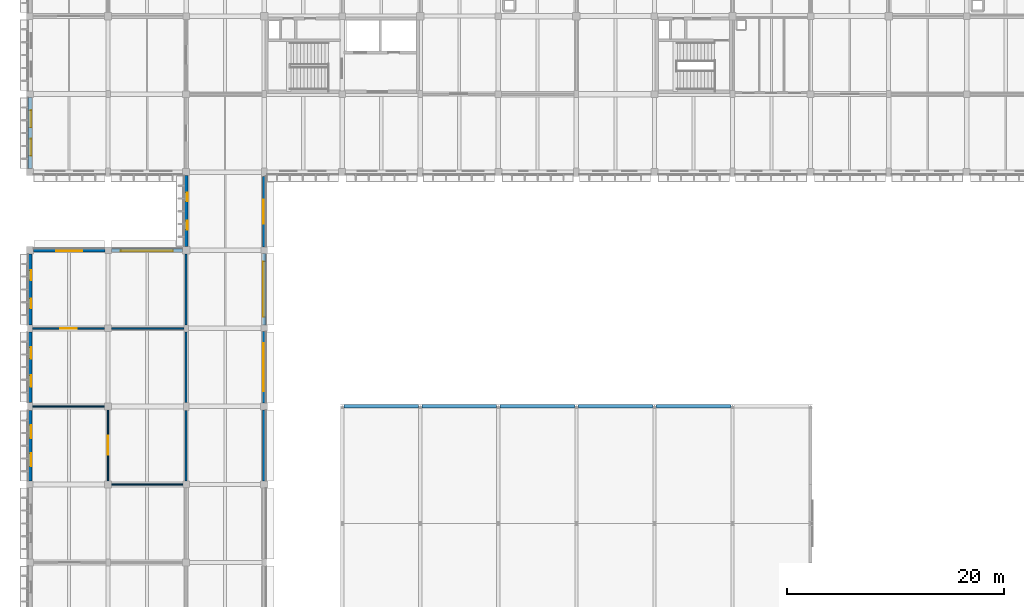
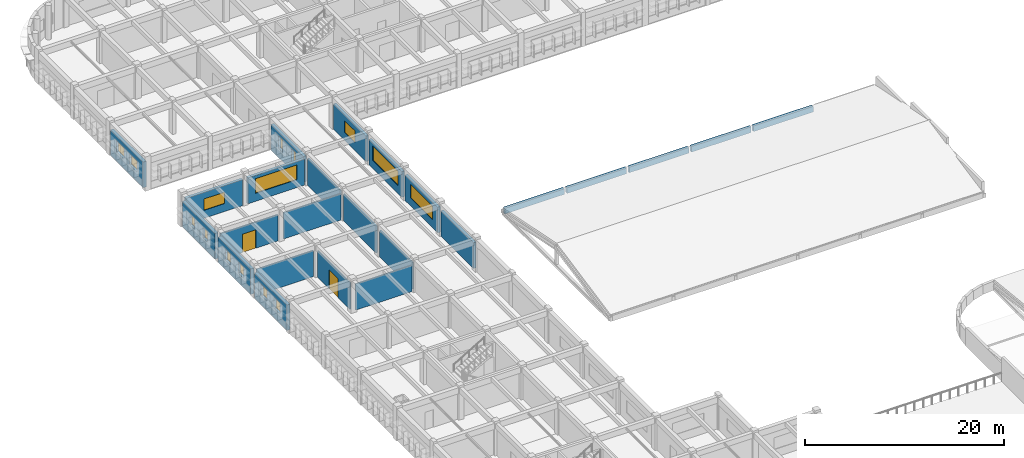
# One storey, part 85 of 103: 24 walls, 15 windows, 2 doors, 17 openings.
"""IFC4 building model written with IfcOpenShell, lengths in metres."""

from ifc_helpers import new_model, si_unit, direction, frame, frame_2d, origin, place, context, subcontext, project, spatial, rectangle, extrude, material, layer, layer_set, type_object, element, fill, save


model = new_model("IFC4")

# Units and contexts
model_context = context("Model", 3, precision=1e-05, world=origin(), true_north=direction((0.0, 1.0)))
body_context = subcontext(model_context, "Body", "Model", "MODEL_VIEW")
ifc_project = project(units=[si_unit("LENGTHUNIT", "METRE"), si_unit("AREAUNIT", "SQUARE_METRE"), si_unit("VOLUMEUNIT", "CUBIC_METRE"), si_unit("PLANEANGLEUNIT", "RADIAN"), si_unit("MASSUNIT", "GRAM", prefix="KILO")], contexts=[model_context])

# Site, building, storey
site_placement = place(None, origin())
site = spatial("IfcSite", under=ifc_project, at=site_placement, CompositionType="ELEMENT")
building_placement = place(site_placement, origin())
building = spatial("IfcBuilding", under=site, at=building_placement, Name="Thalmaran Polytechnic", CompositionType="ELEMENT")
storey_placement = place(building_placement, frame((0.0, 0.0, 14.39990234375)))
storey = spatial("IfcBuildingStorey", under=building, at=storey_placement, Name="L03", CompositionType="ELEMENT", Elevation=14.39990234375)

# Wall, openings, windows
ifc_material_1 = material(Name="Precast concrete C40/50", Category="concrete")
ifc_layer_1 = layer(ifc_material_1, 0.360107421875, Name="Precast concrete C40/50")
ifc_layer_set_1 = layer_set([ifc_layer_1], Name="Precast concrete C40/50")
wall_type_1 = type_object("IfcWallType", Name="WL-EW01", PredefinedType="STANDARD", material=ifc_layer_set_1)
wall_1_placement = place(storey_placement, frame((0.0, 65.10009765625, 0.0), z_axis=(0.0, 0.0, 1.0), x_axis=(0.0, 1.0, 0.0)))
wall_1 = element("IfcWall", 1, at=wall_1_placement, inside=storey, type_object=wall_type_1, Name="Exterior Precast Facade Wall L03-038", PredefinedType="STANDARD", context=body_context, shape_type="SweptSolid", body=[
    extrude(rectangle(XDim=6.52490234375, YDim=0.360107421875, at=frame_2d((3.262451171875, 0.0))), origin(), (0.0, 0.0, 1.0), 3.135009765625),
])
opening_1_placement = place(wall_1_placement, frame((1.357421875, 0.0, 1.14990234375)))
opening_1 = element("IfcOpeningElement", 2, at=opening_1_placement, cuts=wall_1, Name="Opening PW11", PredefinedType="OPENING", context=body_context, shape_type="SweptSolid", body=[
    extrude(rectangle(XDim=1.199951171875, YDim=1.35009765625, at=frame_2d((0.60009765625, 0.675048828125))), frame((0.0, 0.18994140625, 0.0), z_axis=(0.0, -1.0, 0.0), x_axis=(1.0, 0.0, 0.0)), (0.0, 0.0, 1.0), 0.380126953125),
])
opening_2_placement = place(wall_1_placement, frame((3.967529296875, 0.0, 1.14990234375)))
opening_2 = element("IfcOpeningElement", 3, at=opening_2_placement, cuts=wall_1, Name="Opening PW11", PredefinedType="OPENING", context=body_context, shape_type="SweptSolid", body=[
    extrude(rectangle(XDim=1.199951171875, YDim=1.35009765625, at=frame_2d((0.60009765625, 0.675048828125))), frame((0.0, 0.18994140625, 0.0), z_axis=(0.0, -1.0, 0.0), x_axis=(1.0, 0.0, 0.0)), (0.0, 0.0, 1.0), 0.380126953125),
])
ifc_material_2 = material(Name="Thermally broken aluminium and double low-E glass", Category="aluminium")
window_type_1 = type_object("IfcWindowType", Name="WN-PW01", PartitioningType="SINGLE_PANEL", PredefinedType="WINDOW", material=ifc_material_2)
window_1_placement = place(opening_1_placement, origin())
window_1 = element("IfcWindow", 4, at=window_1_placement, inside=storey, type_object=window_type_1, Name="Deep-Set Solar-Screened Window W-0436", OverallHeight=1.35009765625, OverallWidth=1.199951171875, PartitioningType="SINGLE_PANEL", PredefinedType="WINDOW", context=body_context, shape_type="SweptSolid", body=[
    extrude(rectangle(XDim=1.199951171875, YDim=1.35009765625, at=frame_2d((0.60009765625, 0.675048828125))), frame((0.0, -0.080078125, 0.0), z_axis=(0.0, -1.0, 0.0), x_axis=(1.0, 0.0, 0.0)), (0.0, 0.0, 1.0), 0.06005859375),
])
fill(opening_1, window_1)
window_2_placement = place(opening_2_placement, origin())
window_2 = element("IfcWindow", 5, at=window_2_placement, inside=storey, type_object=window_type_1, Name="Deep-Set Solar-Screened Window W-0437", OverallHeight=1.35009765625, OverallWidth=1.199951171875, PartitioningType="SINGLE_PANEL", PredefinedType="WINDOW", context=body_context, shape_type="SweptSolid", body=[
    extrude(rectangle(XDim=1.199951171875, YDim=1.35009765625, at=frame_2d((0.60009765625, 0.675048828125))), frame((0.0, -0.080078125, 0.0), z_axis=(0.0, -1.0, 0.0), x_axis=(1.0, 0.0, 0.0)), (0.0, 0.0, 1.0), 0.06005859375),
])
fill(opening_2, window_2)

wall_2_placement = place(storey_placement, frame((0.0, 72.375, 0.0), z_axis=(0.0, 0.0, 1.0), x_axis=(0.0, 1.0, 0.0)))
wall_2 = element("IfcWall", 6, at=wall_2_placement, inside=storey, type_object=wall_type_1, Name="Exterior Precast Facade Wall L03-039", PredefinedType="STANDARD", context=body_context, shape_type="SweptSolid", body=[
    extrude(rectangle(XDim=6.5048828125, YDim=0.360107421875, at=frame_2d((3.25244140625, 0.0))), origin(), (0.0, 0.0, 1.0), 3.135009765625),
])
opening_3_placement = place(wall_2_placement, frame((1.426513671875, 0.0, 1.14990234375)))
opening_3 = element("IfcOpeningElement", 7, at=opening_3_placement, cuts=wall_2, Name="Opening PW12", PredefinedType="OPENING", context=body_context, shape_type="SweptSolid", body=[
    extrude(rectangle(XDim=1.050048828125, YDim=1.35009765625, at=frame_2d((0.52490234375, 0.675048828125))), frame((0.0, 0.18994140625, 0.0), z_axis=(0.0, -1.0, 0.0), x_axis=(1.0, 0.0, 0.0)), (0.0, 0.0, 1.0), 0.380126953125),
])
opening_4_placement = place(wall_2_placement, frame((4.028564453125, 0.0, 1.14990234375)))
opening_4 = element("IfcOpeningElement", 8, at=opening_4_placement, cuts=wall_2, Name="Opening PW12", PredefinedType="OPENING", context=body_context, shape_type="SweptSolid", body=[
    extrude(rectangle(XDim=1.050048828125, YDim=1.35009765625, at=frame_2d((0.52490234375, 0.675048828125))), frame((0.0, 0.18994140625, 0.0), z_axis=(0.0, -1.0, 0.0), x_axis=(1.0, 0.0, 0.0)), (0.0, 0.0, 1.0), 0.380126953125),
])
window_type_2 = type_object("IfcWindowType", Name="WN-PW02", PartitioningType="SINGLE_PANEL", PredefinedType="WINDOW", material=ifc_material_2)
window_3_placement = place(opening_3_placement, origin())
window_3 = element("IfcWindow", 9, at=window_3_placement, inside=storey, type_object=window_type_2, Name="Deep-Set Solar-Screened Window W-0438", OverallHeight=1.35009765625, OverallWidth=1.050048828125, PartitioningType="SINGLE_PANEL", PredefinedType="WINDOW", context=body_context, shape_type="SweptSolid", body=[
    extrude(rectangle(XDim=1.050048828125, YDim=1.35009765625, at=frame_2d((0.52490234375, 0.675048828125))), frame((0.0, -0.080078125, 0.0), z_axis=(0.0, -1.0, 0.0), x_axis=(1.0, 0.0, 0.0)), (0.0, 0.0, 1.0), 0.06005859375),
])
fill(opening_3, window_3)
window_4_placement = place(opening_4_placement, origin())
window_4 = element("IfcWindow", 10, at=window_4_placement, inside=storey, type_object=window_type_2, Name="Deep-Set Solar-Screened Window W-0439", OverallHeight=1.35009765625, OverallWidth=1.050048828125, PartitioningType="SINGLE_PANEL", PredefinedType="WINDOW", context=body_context, shape_type="SweptSolid", body=[
    extrude(rectangle(XDim=1.050048828125, YDim=1.35009765625, at=frame_2d((0.52490234375, 0.675048828125))), frame((0.0, -0.080078125, 0.0), z_axis=(0.0, -1.0, 0.0), x_axis=(1.0, 0.0, 0.0)), (0.0, 0.0, 1.0), 0.06005859375),
])
fill(opening_4, window_4)

wall_3_placement = place(storey_placement, frame((0.0, 79.52001953125, 0.0), z_axis=(0.0, 0.0, 1.0), x_axis=(0.0, 1.0, 0.0)))
wall_3 = element("IfcWall", 11, at=wall_3_placement, inside=storey, type_object=wall_type_1, Name="Exterior Precast Facade Wall L03-040", PredefinedType="STANDARD", context=body_context, shape_type="SweptSolid", body=[
    extrude(rectangle(XDim=6.5400390625, YDim=0.360107421875, at=frame_2d((3.27001953125, 0.0))), origin(), (0.0, 0.0, 1.0), 3.135009765625),
])
opening_5_placement = place(wall_3_placement, frame((1.511962890625, 0.0, 1.14990234375)))
opening_5 = element("IfcOpeningElement", 12, at=opening_5_placement, cuts=wall_3, Name="Opening PW13", PredefinedType="OPENING", context=body_context, shape_type="SweptSolid", body=[
    extrude(rectangle(XDim=0.89990234375, YDim=1.300048828125, at=frame_2d((0.449951171875, 0.64990234375))), frame((0.0, 0.18994140625, 0.0), z_axis=(0.0, -1.0, 0.0), x_axis=(1.0, 0.0, 0.0)), (0.0, 0.0, 1.0), 0.380126953125),
])
opening_6_placement = place(wall_3_placement, frame((4.1279296875, 0.0, 1.14990234375)))
opening_6 = element("IfcOpeningElement", 13, at=opening_6_placement, cuts=wall_3, Name="Opening PW13", PredefinedType="OPENING", context=body_context, shape_type="SweptSolid", body=[
    extrude(rectangle(XDim=0.89990234375, YDim=1.300048828125, at=frame_2d((0.449951171875, 0.64990234375))), frame((0.0, 0.18994140625, 0.0), z_axis=(0.0, -1.0, 0.0), x_axis=(1.0, 0.0, 0.0)), (0.0, 0.0, 1.0), 0.380126953125),
])
window_type_3 = type_object("IfcWindowType", Name="WN-PW03", PartitioningType="SINGLE_PANEL", PredefinedType="WINDOW", material=ifc_material_2)
window_5_placement = place(opening_5_placement, origin())
window_5 = element("IfcWindow", 14, at=window_5_placement, inside=storey, type_object=window_type_3, Name="Deep-Set Solar-Screened Window W-0440", OverallHeight=1.300048828125, OverallWidth=0.89990234375, PartitioningType="SINGLE_PANEL", PredefinedType="WINDOW", context=body_context, shape_type="SweptSolid", body=[
    extrude(rectangle(XDim=0.89990234375, YDim=1.300048828125, at=frame_2d((0.449951171875, 0.64990234375))), frame((0.0, -0.080078125, 0.0), z_axis=(0.0, -1.0, 0.0), x_axis=(1.0, 0.0, 0.0)), (0.0, 0.0, 1.0), 0.06005859375),
])
fill(opening_5, window_5)
window_6_placement = place(opening_6_placement, origin())
window_6 = element("IfcWindow", 15, at=window_6_placement, inside=storey, type_object=window_type_3, Name="Deep-Set Solar-Screened Window W-0441", OverallHeight=1.300048828125, OverallWidth=0.89990234375, PartitioningType="SINGLE_PANEL", PredefinedType="WINDOW", context=body_context, shape_type="SweptSolid", body=[
    extrude(rectangle(XDim=0.89990234375, YDim=1.300048828125, at=frame_2d((0.449951171875, 0.64990234375))), frame((0.0, -0.080078125, 0.0), z_axis=(0.0, -1.0, 0.0), x_axis=(1.0, 0.0, 0.0)), (0.0, 0.0, 1.0), 0.06005859375),
])
fill(opening_6, window_6)

wall_4_placement = place(storey_placement, frame((14.39990234375, 86.739990234375, 0.0), z_axis=(0.0, 0.0, 1.0), x_axis=(0.0, 1.0, 0.0)))
wall_4 = element("IfcWall", 16, at=wall_4_placement, inside=storey, type_object=wall_type_1, Name="Exterior Precast Facade Wall L03-043", PredefinedType="STANDARD", context=body_context, shape_type="SweptSolid", body=[
    extrude(rectangle(XDim=6.534912109375, YDim=0.360107421875, at=frame_2d((3.267578125, 0.0))), origin(), (0.0, 0.0, 1.0), 3.135009765625),
])
opening_7_placement = place(wall_4_placement, frame((1.560546875, 0.0, 1.14990234375)))
opening_7 = element("IfcOpeningElement", 17, at=opening_7_placement, cuts=wall_4, Name="Opening PW16", PredefinedType="OPENING", context=body_context, shape_type="SweptSolid", body=[
    extrude(rectangle(XDim=0.800048828125, YDim=1.5, at=frame_2d((0.39990234375, 0.75))), frame((0.0, 0.18994140625, 0.0), z_axis=(0.0, -1.0, 0.0), x_axis=(1.0, 0.0, 0.0)), (0.0, 0.0, 1.0), 0.380126953125),
])
opening_8_placement = place(wall_4_placement, frame((4.174560546875, 0.0, 1.14990234375)))
opening_8 = element("IfcOpeningElement", 18, at=opening_8_placement, cuts=wall_4, Name="Opening PW16", PredefinedType="OPENING", context=body_context, shape_type="SweptSolid", body=[
    extrude(rectangle(XDim=0.800048828125, YDim=1.5, at=frame_2d((0.39990234375, 0.75))), frame((0.0, 0.18994140625, 0.0), z_axis=(0.0, -1.0, 0.0), x_axis=(1.0, 0.0, 0.0)), (0.0, 0.0, 1.0), 0.380126953125),
])
window_type_4 = type_object("IfcWindowType", Name="WN-PW06", PartitioningType="SINGLE_PANEL", PredefinedType="WINDOW", material=ifc_material_2)
window_7_placement = place(opening_7_placement, origin())
window_7 = element("IfcWindow", 19, at=window_7_placement, inside=storey, type_object=window_type_4, Name="Deep-Set Solar-Screened Window W-0444", OverallHeight=1.5, OverallWidth=0.800048828125, PartitioningType="SINGLE_PANEL", PredefinedType="WINDOW", context=body_context, shape_type="SweptSolid", body=[
    extrude(rectangle(XDim=0.800048828125, YDim=1.5, at=frame_2d((0.39990234375, 0.75))), frame((0.0, -0.080078125, 0.0), z_axis=(0.0, -1.0, 0.0), x_axis=(1.0, 0.0, 0.0)), (0.0, 0.0, 1.0), 0.06005859375),
])
fill(opening_7, window_7)
window_8_placement = place(opening_8_placement, origin())
window_8 = element("IfcWindow", 20, at=window_8_placement, inside=storey, type_object=window_type_4, Name="Deep-Set Solar-Screened Window W-0445", OverallHeight=1.5, OverallWidth=0.800048828125, PartitioningType="SINGLE_PANEL", PredefinedType="WINDOW", context=body_context, shape_type="SweptSolid", body=[
    extrude(rectangle(XDim=0.800048828125, YDim=1.5, at=frame_2d((0.39990234375, 0.75))), frame((0.0, -0.080078125, 0.0), z_axis=(0.0, -1.0, 0.0), x_axis=(1.0, 0.0, 0.0)), (0.0, 0.0, 1.0), 0.06005859375),
])
fill(opening_8, window_8)

wall_5_placement = place(storey_placement, frame((0.0, 93.925048828125, 0.0), z_axis=(0.0, 0.0, 1.0), x_axis=(0.0, 1.0, 0.0)))
wall_5 = element("IfcWall", 21, at=wall_5_placement, inside=storey, type_object=wall_type_1, Name="Exterior Precast Facade Wall L03-046", PredefinedType="STANDARD", context=body_context, shape_type="SweptSolid", body=[
    extrude(rectangle(XDim=6.56494140625, YDim=0.360107421875, at=frame_2d((3.282470703125, 0.0))), origin(), (0.0, 0.0, 1.0), 3.135009765625),
])
opening_9_placement = place(wall_5_placement, frame((1.194580078125, 0.0, 1.14990234375)))
opening_9 = element("IfcOpeningElement", 22, at=opening_9_placement, cuts=wall_5, Name="Opening VW09", PredefinedType="OPENING", context=body_context, shape_type="SweptSolid", body=[
    extrude(rectangle(XDim=1.550048828125, YDim=1.35009765625, at=frame_2d((0.77490234375, 0.675048828125))), frame((0.0, 0.18994140625, 0.0), z_axis=(0.0, -1.0, 0.0), x_axis=(1.0, 0.0, 0.0)), (0.0, 0.0, 1.0), 0.380126953125),
])
opening_10_placement = place(wall_5_placement, frame((3.820556640625, 0.0, 1.14990234375)))
opening_10 = element("IfcOpeningElement", 23, at=opening_10_placement, cuts=wall_5, Name="Opening VW09", PredefinedType="OPENING", context=body_context, shape_type="SweptSolid", body=[
    extrude(rectangle(XDim=1.550048828125, YDim=1.35009765625, at=frame_2d((0.77490234375, 0.675048828125))), frame((0.0, 0.18994140625, 0.0), z_axis=(0.0, -1.0, 0.0), x_axis=(1.0, 0.0, 0.0)), (0.0, 0.0, 1.0), 0.380126953125),
])
window_type_5 = type_object("IfcWindowType", Name="WN-VZ09", PartitioningType="SINGLE_PANEL", PredefinedType="WINDOW", material=ifc_material_2)
window_9_placement = place(opening_9_placement, origin())
window_9 = element("IfcWindow", 24, at=window_9_placement, inside=storey, type_object=window_type_5, Name="Deep-Set Solar-Screened Window W-0450", OverallHeight=1.35009765625, OverallWidth=1.550048828125, PartitioningType="SINGLE_PANEL", PredefinedType="WINDOW", context=body_context, shape_type="SweptSolid", body=[
    extrude(rectangle(XDim=1.550048828125, YDim=1.35009765625, at=frame_2d((0.77490234375, 0.675048828125))), frame((0.0, -0.080078125, 0.0), z_axis=(0.0, -1.0, 0.0), x_axis=(1.0, 0.0, 0.0)), (0.0, 0.0, 1.0), 0.06005859375),
])
fill(opening_9, window_9)
window_10_placement = place(opening_10_placement, origin())
window_10 = element("IfcWindow", 25, at=window_10_placement, inside=storey, type_object=window_type_5, Name="Deep-Set Solar-Screened Window W-0451", OverallHeight=1.35009765625, OverallWidth=1.550048828125, PartitioningType="SINGLE_PANEL", PredefinedType="WINDOW", context=body_context, shape_type="SweptSolid", body=[
    extrude(rectangle(XDim=1.550048828125, YDim=1.35009765625, at=frame_2d((0.77490234375, 0.675048828125))), frame((0.0, -0.080078125, 0.0), z_axis=(0.0, -1.0, 0.0), x_axis=(1.0, 0.0, 0.0)), (0.0, 0.0, 1.0), 0.06005859375),
])
fill(opening_10, window_10)

# Walls
ifc_layer_2 = layer(ifc_material_1, 0.31005859375, Name="Precast concrete C40/50")
ifc_layer_set_2 = layer_set([ifc_layer_2], Name="Precast concrete C40/50")
wall_type_2 = type_object("IfcWallType", Name="WL-EW03", PredefinedType="STANDARD", material=ifc_layer_set_2)
for number, where, z_axis, x_axis, name in (
    (26, (35.85009765625, 72.0, -0.02001953125), (0.0, 0.0, 1.0), (-1.0, 0.0, 0.0), "Refectory Roof Eave Spandrel N-04"),
    (27, (43.050048828125, 72.0, -0.02001953125), (0.0, 0.0, 1.0), (-1.0, 0.0, 0.0), "Refectory Roof Eave Spandrel N-05"),
):
    element("IfcWall", number, at=place(storey_placement, frame(where, z_axis=z_axis, x_axis=x_axis)), inside=storey, type_object=wall_type_2, Name=name, PredefinedType="STANDARD", context=body_context, shape_type="SweptSolid", body=[
        extrude(rectangle(XDim=6.900146484375, YDim=0.31005859375, at=frame_2d((3.4501953125, 0.0))), origin(), (0.0, 0.0, 1.0), 0.690185546875),
    ])
for number, where, z_axis, x_axis, name in (
    (28, (50.25, 72.0, -0.02001953125), (0.0, 0.0, 1.0), (-1.0, 0.0, 0.0), "Refectory Roof Eave Spandrel N-06"),
    (29, (57.449951171875, 72.0, -0.02001953125), (0.0, 0.0, 1.0), (-1.0, 0.0, 0.0), "Refectory Roof Eave Spandrel N-07"),
    (30, (64.64990234375, 72.0, -0.02001953125), (0.0, 0.0, 1.0), (-1.0, 0.0, 0.0), "Refectory Roof Eave Spandrel N-08"),
):
    element("IfcWall", number, at=place(storey_placement, frame(where, z_axis=z_axis, x_axis=x_axis)), inside=storey, type_object=wall_type_2, Name=name, PredefinedType="STANDARD", context=body_context, shape_type="SweptSolid", body=[
        extrude(rectangle(XDim=6.89990234375, YDim=0.31005859375, at=frame_2d((3.449951171875, 0.0))), origin(), (0.0, 0.0, 1.0), 0.690185546875),
    ])

# Wall, opening, window
wall_6_placement = place(storey_placement, frame((0.340087890625, 86.39990234375, 0.0), z_axis=(0.0, 0.0, 1.0), x_axis=(1.0, 0.0, 0.0)))
wall_6 = element("IfcWall", 31, at=wall_6_placement, inside=storey, type_object=wall_type_2, Name="Exterior Precast Facade Wall L03-041", PredefinedType="STANDARD", context=body_context, shape_type="SweptSolid", body=[
    extrude(rectangle(XDim=6.559814453125, YDim=0.31005859375, at=frame_2d((3.27978515625, 0.0))), origin(), (0.0, 0.0, 1.0), 3.18505859375),
])
opening_11_placement = place(wall_6_placement, frame((2.080078125, 0.0, 0.97998046875)))
opening_11 = element("IfcOpeningElement", 32, at=opening_11_placement, cuts=wall_6, Name="Opening RW06", PredefinedType="OPENING", context=body_context, shape_type="SweptSolid", body=[
    extrude(rectangle(XDim=2.39990234375, YDim=1.39990234375, at=frame_2d((1.199951171875, 0.699951171875))), frame((0.0, 0.1650390625, 0.0), z_axis=(0.0, -1.0, 0.0), x_axis=(1.0, 0.0, 0.0)), (0.0, 0.0, 1.0), 0.330078125),
])
window_type_6 = type_object("IfcWindowType", Name="WN-RW06", PartitioningType="DOUBLE_PANEL_VERTICAL", PredefinedType="WINDOW", material=ifc_material_2)
window_11_placement = place(opening_11_placement, origin())
window_11 = element("IfcWindow", 33, at=window_11_placement, inside=storey, type_object=window_type_6, Name="Streamline Ribbon Window W-0442", OverallHeight=1.39990234375, OverallWidth=2.39990234375, PartitioningType="SINGLE_PANEL", PredefinedType="WINDOW", context=body_context, shape_type="SweptSolid", body=[
    extrude(rectangle(XDim=2.39990234375, YDim=1.39990234375, at=frame_2d((1.199951171875, 0.699951171875))), frame((0.0, -0.030029296875, 0.0), z_axis=(0.0, -1.0, 0.0), x_axis=(1.0, 0.0, 0.0)), (0.0, 0.0, 1.0), 0.06005859375),
])
fill(opening_11, window_11)

wall_7_placement = place(storey_placement, frame((7.5, 86.39990234375, 0.0), z_axis=(0.0, 0.0, 1.0), x_axis=(1.0, 0.0, 0.0)))
wall_7 = element("IfcWall", 34, at=wall_7_placement, inside=storey, type_object=wall_type_2, Name="Exterior Precast Facade Wall L03-042", PredefinedType="STANDARD", context=body_context, shape_type="SweptSolid", body=[
    extrude(rectangle(XDim=6.56005859375, YDim=0.31005859375, at=frame_2d((3.280029296875, 0.0))), origin(), (0.0, 0.0, 1.0), 3.18505859375),
])
opening_12_placement = place(wall_7_placement, frame((0.8798828125, 0.0, 0.97998046875)))
opening_12 = element("IfcOpeningElement", 35, at=opening_12_placement, cuts=wall_7, Name="Opening RW07", PredefinedType="OPENING", context=body_context, shape_type="SweptSolid", body=[
    extrude(rectangle(XDim=4.800048828125, YDim=1.800048828125, at=frame_2d((2.39990234375, 0.89990234375))), frame((0.0, 0.1650390625, 0.0), z_axis=(0.0, -1.0, 0.0), x_axis=(1.0, 0.0, 0.0)), (0.0, 0.0, 1.0), 0.330078125),
])
window_type_7 = type_object("IfcWindowType", Name="WN-RW07", PartitioningType="TRIPLE_PANEL_HORIZONTAL", PredefinedType="WINDOW", material=ifc_material_2)
window_12_placement = place(opening_12_placement, origin())
window_12 = element("IfcWindow", 36, at=window_12_placement, inside=storey, type_object=window_type_7, Name="Streamline Ribbon Window W-0443", OverallHeight=1.800048828125, OverallWidth=4.800048828125, PartitioningType="SINGLE_PANEL", PredefinedType="WINDOW", context=body_context, shape_type="SweptSolid", body=[
    extrude(rectangle(XDim=4.800048828125, YDim=1.800048828125, at=frame_2d((2.39990234375, 0.89990234375))), frame((0.0, -0.030029296875, 0.0), z_axis=(0.0, -1.0, 0.0), x_axis=(1.0, 0.0, 0.0)), (0.0, 0.0, 1.0), 0.06005859375),
])
fill(opening_12, window_12)

wall_8_placement = place(storey_placement, frame((21.60009765625, 93.22509765625, 0.0), z_axis=(0.0, 0.0, 1.0), x_axis=(0.0, -1.0, 0.0)))
wall_8 = element("IfcWall", 37, at=wall_8_placement, inside=storey, type_object=wall_type_2, Name="Exterior Precast Facade Wall L03-089", PredefinedType="STANDARD", context=body_context, shape_type="SweptSolid", body=[
    extrude(rectangle(XDim=6.525146484375, YDim=0.31005859375, at=frame_2d((3.2626953125, 0.0))), origin(), (0.0, 0.0, 1.0), 3.135009765625),
])
opening_13_placement = place(wall_8_placement, frame((2.16259765625, 0.0, 0.97998046875)))
opening_13 = element("IfcOpeningElement", 38, at=opening_13_placement, cuts=wall_8, Name="Opening VW06", PredefinedType="OPENING", context=body_context, shape_type="SweptSolid", body=[
    extrude(rectangle(XDim=2.199951171875, YDim=1.449951171875, at=frame_2d((1.10009765625, 0.72509765625))), frame((0.0, 0.1650390625, 0.0), z_axis=(0.0, -1.0, 0.0), x_axis=(1.0, 0.0, 0.0)), (0.0, 0.0, 1.0), 0.330078125),
])
window_type_8 = type_object("IfcWindowType", Name="WN-VZ06", PartitioningType="DOUBLE_PANEL_VERTICAL", PredefinedType="WINDOW", material=ifc_material_2)
window_13_placement = place(opening_13_placement, origin())
window_13 = element("IfcWindow", 39, at=window_13_placement, inside=storey, type_object=window_type_8, Name="Streamline Ribbon Window W-0507", OverallHeight=1.449951171875, OverallWidth=2.199951171875, PartitioningType="SINGLE_PANEL", PredefinedType="WINDOW", context=body_context, shape_type="SweptSolid", body=[
    extrude(rectangle(XDim=2.199951171875, YDim=1.449951171875, at=frame_2d((1.10009765625, 0.72509765625))), frame((0.0, -0.030029296875, 0.0), z_axis=(0.0, -1.0, 0.0), x_axis=(1.0, 0.0, 0.0)), (0.0, 0.0, 1.0), 0.06005859375),
])
fill(opening_13, window_13)

wall_9_placement = place(storey_placement, frame((21.60009765625, 86.10009765625, 0.0), z_axis=(0.0, 0.0, 1.0), x_axis=(0.0, -1.0, 0.0)))
wall_9 = element("IfcWall", 40, at=wall_9_placement, inside=storey, type_object=wall_type_2, Name="Exterior Precast Facade Wall L03-090", PredefinedType="STANDARD", context=body_context, shape_type="SweptSolid", body=[
    extrude(rectangle(XDim=6.590087890625, YDim=0.31005859375, at=frame_2d((3.294921875, 0.0))), origin(), (0.0, 0.0, 1.0), 3.135009765625),
])
opening_14_placement = place(wall_9_placement, frame((0.7451171875, 0.0, 0.97998046875)))
opening_14 = element("IfcOpeningElement", 41, at=opening_14_placement, cuts=wall_9, Name="Opening VW15", PredefinedType="OPENING", context=body_context, shape_type="SweptSolid", body=[
    extrude(rectangle(XDim=5.10009765625, YDim=1.75, at=frame_2d((2.550048828125, 0.875))), frame((0.0, 0.1650390625, 0.0), z_axis=(0.0, -1.0, 0.0), x_axis=(1.0, 0.0, 0.0)), (0.0, 0.0, 1.0), 0.330078125),
])
window_type_9 = type_object("IfcWindowType", Name="WN-VZ15", PartitioningType="TRIPLE_PANEL_HORIZONTAL", PredefinedType="WINDOW", material=ifc_material_2)
window_14_placement = place(opening_14_placement, origin())
window_14 = element("IfcWindow", 42, at=window_14_placement, inside=storey, type_object=window_type_9, Name="Streamline Ribbon Window W-0508", OverallHeight=1.75, OverallWidth=5.10009765625, PartitioningType="SINGLE_PANEL", PredefinedType="WINDOW", context=body_context, shape_type="SweptSolid", body=[
    extrude(rectangle(XDim=5.10009765625, YDim=1.75, at=frame_2d((2.550048828125, 0.875))), frame((0.0, -0.030029296875, 0.0), z_axis=(0.0, -1.0, 0.0), x_axis=(1.0, 0.0, 0.0)), (0.0, 0.0, 1.0), 0.06005859375),
])
fill(opening_14, window_14)

wall_10_placement = place(storey_placement, frame((21.60009765625, 78.889892578125, 0.0), z_axis=(0.0, 0.0, 1.0), x_axis=(0.0, -1.0, 0.0)))
wall_10 = element("IfcWall", 43, at=wall_10_placement, inside=storey, type_object=wall_type_2, Name="Exterior Precast Facade Wall L03-091", PredefinedType="STANDARD", context=body_context, shape_type="SweptSolid", body=[
    extrude(rectangle(XDim=6.56494140625, YDim=0.31005859375, at=frame_2d((3.282470703125, 0.0))), origin(), (0.0, 0.0, 1.0), 3.135009765625),
])
opening_15_placement = place(wall_10_placement, frame((1.08251953125, 0.0, 0.97998046875)))
opening_15 = element("IfcOpeningElement", 44, at=opening_15_placement, cuts=wall_10, Name="Opening VW16", PredefinedType="OPENING", context=body_context, shape_type="SweptSolid", body=[
    extrude(rectangle(XDim=4.39990234375, YDim=1.64990234375, at=frame_2d((2.199951171875, 0.824951171875))), frame((0.0, 0.1650390625, 0.0), z_axis=(0.0, -1.0, 0.0), x_axis=(1.0, 0.0, 0.0)), (0.0, 0.0, 1.0), 0.330078125),
])
window_type_10 = type_object("IfcWindowType", Name="WN-VZ16", PartitioningType="TRIPLE_PANEL_HORIZONTAL", PredefinedType="WINDOW", material=ifc_material_2)
window_15_placement = place(opening_15_placement, origin())
window_15 = element("IfcWindow", 45, at=window_15_placement, inside=storey, type_object=window_type_10, Name="Streamline Ribbon Window W-0509", OverallHeight=1.64990234375, OverallWidth=4.39990234375, PartitioningType="SINGLE_PANEL", PredefinedType="WINDOW", context=body_context, shape_type="SweptSolid", body=[
    extrude(rectangle(XDim=4.39990234375, YDim=1.64990234375, at=frame_2d((2.199951171875, 0.824951171875))), frame((0.0, -0.030029296875, 0.0), z_axis=(0.0, -1.0, 0.0), x_axis=(1.0, 0.0, 0.0)), (0.0, 0.0, 1.0), 0.06005859375),
])
fill(opening_15, window_15)

# Walls
wall_11_placement = place(storey_placement, frame((21.60009765625, 71.675048828125, 0.0), z_axis=(0.0, 0.0, 1.0), x_axis=(0.0, -1.0, 0.0)))
element("IfcWall", 46, at=wall_11_placement, inside=storey, type_object=wall_type_2, Name="Exterior Precast Facade Wall L03-092", PredefinedType="STANDARD", context=body_context, shape_type="SweptSolid", body=[
    extrude(rectangle(XDim=6.53515625, YDim=0.31005859375, at=frame_2d((3.267578125, 0.0))), origin(), (0.0, 0.0, 1.0), 3.135009765625),
])
ifc_material_3 = material(Name="Gypsum acoustic partition")
ifc_layer_3 = layer(ifc_material_3, 0.159912109375, Name="Gypsum acoustic partition")
ifc_layer_set_3 = layer_set([ifc_layer_3], Name="Gypsum acoustic partition")
wall_type_3 = type_object("IfcWallType", Name="WL-IW05", PredefinedType="PARTITIONING", material=ifc_layer_set_3)
wall_12_placement = place(storey_placement, frame((14.39990234375, 65.10498046875, 0.0), z_axis=(0.0, 0.0, 1.0), x_axis=(0.0, 1.0, 0.0)))
element("IfcWall", 47, at=wall_12_placement, inside=storey, type_object=wall_type_3, Name="Interior Partition IW05 L03-018", PredefinedType="PARTITIONING", context=body_context, shape_type="SweptSolid", body=[
    extrude(rectangle(XDim=6.51513671875, YDim=0.159912109375, at=frame_2d((3.257568359375, 0.0))), origin(), (0.0, 0.0, 1.0), 3.2451171875),
])
wall_13_placement = place(storey_placement, frame((14.39990234375, 72.3798828125, 0.0), z_axis=(0.0, 0.0, 1.0), x_axis=(0.0, 1.0, 0.0)))
element("IfcWall", 48, at=wall_13_placement, inside=storey, type_object=wall_type_3, Name="Interior Partition IW05 L03-019", PredefinedType="PARTITIONING", context=body_context, shape_type="SweptSolid", body=[
    extrude(rectangle(XDim=6.4951171875, YDim=0.159912109375, at=frame_2d((3.24755859375, 0.0))), origin(), (0.0, 0.0, 1.0), 3.31005859375),
])
wall_14_placement = place(storey_placement, frame((14.39990234375, 79.52490234375, 0.0), z_axis=(0.0, 0.0, 1.0), x_axis=(0.0, 1.0, 0.0)))
element("IfcWall", 49, at=wall_14_placement, inside=storey, type_object=wall_type_3, Name="Interior Partition IW05 L03-021", PredefinedType="PARTITIONING", context=body_context, shape_type="SweptSolid", body=[
    extrude(rectangle(XDim=6.530029296875, YDim=0.159912109375, at=frame_2d((3.26513671875, 0.0))), origin(), (0.0, 0.0, 1.0), 3.30517578125),
])

# Wall, opening, door
ifc_layer_4 = layer(ifc_material_3, 0.1298828125, Name="Gypsum acoustic partition")
ifc_layer_set_4 = layer_set([ifc_layer_4], Name="Gypsum acoustic partition")
wall_type_4 = type_object("IfcWallType", Name="WL-IW07", PredefinedType="PARTITIONING", material=ifc_layer_set_4)
wall_15_placement = place(storey_placement, frame((7.199951171875, 65.14501953125, 0.0), z_axis=(0.0, 0.0, 1.0), x_axis=(0.0, 1.0, 0.0)))
wall_15 = element("IfcWall", 50, at=wall_15_placement, inside=storey, type_object=wall_type_4, Name="Interior Partition IW07 L03-006", PredefinedType="PARTITIONING", context=body_context, shape_type="SweptSolid", body=[
    extrude(rectangle(XDim=6.52490234375, YDim=0.1298828125, at=frame_2d((3.262451171875, 0.0))), origin(), (0.0, 0.0, 1.0), 3.2451171875),
])
opening_16_placement = place(wall_15_placement, frame((2.382568359375, 0.0, 0.0)))
opening_16 = element("IfcOpeningElement", 51, at=opening_16_placement, cuts=wall_15, Name="Opening D-L03-008-1-08-1", PredefinedType="OPENING", context=body_context, shape_type="SweptSolid", body=[
    extrude(rectangle(XDim=1.760009765625, YDim=2.300048828125, at=frame_2d((0.8798828125, 1.14990234375))), frame((0.0, 0.074951171875, 0.0), z_axis=(0.0, -1.0, 0.0), x_axis=(1.0, 0.0, 0.0)), (0.0, 0.0, 1.0), 0.14990234375),
])
ifc_material_4 = material(Name="Acoustic hardwood and vision glass", Category="wood")
door_type_1 = type_object("IfcDoorType", Name="DR-ZD02", OperationType="NOTDEFINED", PredefinedType="DOOR", material=ifc_material_4)
door_1_placement = place(opening_16_placement, origin())
door_1 = element("IfcDoor", 52, at=door_1_placement, inside=storey, type_object=door_type_1, Name="Materials Testing Laboratory L03-08 Door 1", OperationType="SINGLE_SWING_RIGHT", OverallHeight=2.300048828125, OverallWidth=1.760009765625, PredefinedType="DOOR", context=body_context, shape_type="SweptSolid", body=[
    extrude(rectangle(XDim=1.760009765625, YDim=2.300048828125, at=frame_2d((0.8798828125, 1.14990234375))), frame((0.0, 0.02490234375, 0.0), z_axis=(0.0, -1.0, 0.0), x_axis=(1.0, 0.0, 0.0)), (0.0, 0.0, 1.0), 0.050048828125),
])
fill(opening_16, door_1)

wall_16_placement = place(storey_placement, frame((0.215087890625, 79.199951171875, 0.0), z_axis=(0.0, 0.0, 1.0), x_axis=(1.0, 0.0, 0.0)))
wall_16 = element("IfcWall", 53, at=wall_16_placement, inside=storey, type_object=wall_type_4, Name="Interior Partition IW07 L03-008", PredefinedType="PARTITIONING", context=body_context, shape_type="SweptSolid", body=[
    extrude(rectangle(XDim=6.669921875, YDim=0.1298828125, at=frame_2d((3.3349609375, 0.0))), origin(), (0.0, 0.0, 1.0), 3.215087890625),
])
opening_17_placement = place(wall_16_placement, frame((2.554931640625, 0.0, 0.0)))
opening_17 = element("IfcOpeningElement", 54, at=opening_17_placement, cuts=wall_16, Name="Opening D-L03-009-1-09-1", PredefinedType="OPENING", context=body_context, shape_type="SweptSolid", body=[
    extrude(rectangle(XDim=1.56005859375, YDim=2.25, at=frame_2d((0.780029296875, 1.125))), frame((0.0, 0.074951171875, 0.0), z_axis=(0.0, -1.0, 0.0), x_axis=(1.0, 0.0, 0.0)), (0.0, 0.0, 1.0), 0.14990234375),
])
door_type_2 = type_object("IfcDoorType", Name="DR-ZD03", OperationType="NOTDEFINED", PredefinedType="DOOR", material=ifc_material_4)
door_2_placement = place(opening_17_placement, origin())
door_2 = element("IfcDoor", 55, at=door_2_placement, inside=storey, type_object=door_type_2, Name="Industrial Design Studio L03-09 Door 1", OperationType="SINGLE_SWING_LEFT", OverallHeight=2.25, OverallWidth=1.56005859375, PredefinedType="DOOR", context=body_context, shape_type="SweptSolid", body=[
    extrude(rectangle(XDim=1.56005859375, YDim=2.25, at=frame_2d((0.780029296875, 1.125))), frame((0.0, 0.02490234375, 0.0), z_axis=(0.0, -1.0, 0.0), x_axis=(1.0, 0.0, 0.0)), (0.0, 0.0, 1.0), 0.050048828125),
])
fill(opening_17, door_2)

# Walls
wall_17_placement = place(storey_placement, frame((7.514892578125, 79.199951171875, 0.0), z_axis=(0.0, 0.0, 1.0), x_axis=(1.0, 0.0, 0.0)))
element("IfcWall", 56, at=wall_17_placement, inside=storey, type_object=wall_type_4, Name="Interior Partition IW07 L03-020", PredefinedType="PARTITIONING", context=body_context, shape_type="SweptSolid", body=[
    extrude(rectangle(XDim=6.670166015625, YDim=0.1298828125, at=frame_2d((3.3349609375, 0.0))), origin(), (0.0, 0.0, 1.0), 3.22021484375),
])
ifc_layer_5 = layer(ifc_material_3, 0.114990234375, Name="Gypsum acoustic partition")
ifc_layer_set_5 = layer_set([ifc_layer_5], Name="Gypsum acoustic partition")
wall_type_5 = type_object("IfcWallType", Name="WL-IW08", PredefinedType="PARTITIONING", material=ifc_layer_set_5)
wall_18_placement = place(storey_placement, frame((0.2548828125, 72.0, 0.0), z_axis=(0.0, 0.0, 1.0), x_axis=(1.0, 0.0, 0.0)))
element("IfcWall", 57, at=wall_18_placement, inside=storey, type_object=wall_type_5, Name="Interior Partition IW08 L03-007", PredefinedType="PARTITIONING", context=body_context, shape_type="SweptSolid", body=[
    extrude(rectangle(XDim=6.615234375, YDim=0.114990234375, at=frame_2d((3.3076171875, 0.0))), origin(), (0.0, 0.0, 1.0), 3.215087890625),
])
wall_19_placement = place(storey_placement, frame((7.544921875, 64.800048828125, 0.0), z_axis=(0.0, 0.0, 1.0), x_axis=(1.0, 0.0, 0.0)))
element("IfcWall", 58, at=wall_19_placement, inside=storey, type_object=wall_type_5, Name="Interior Partition IW08 L03-017", PredefinedType="PARTITIONING", context=body_context, shape_type="SweptSolid", body=[
    extrude(rectangle(XDim=6.550048828125, YDim=0.114990234375, at=frame_2d((3.27490234375, 0.0))), origin(), (0.0, 0.0, 1.0), 3.22021484375),
])

save(model, "model.ifc")
